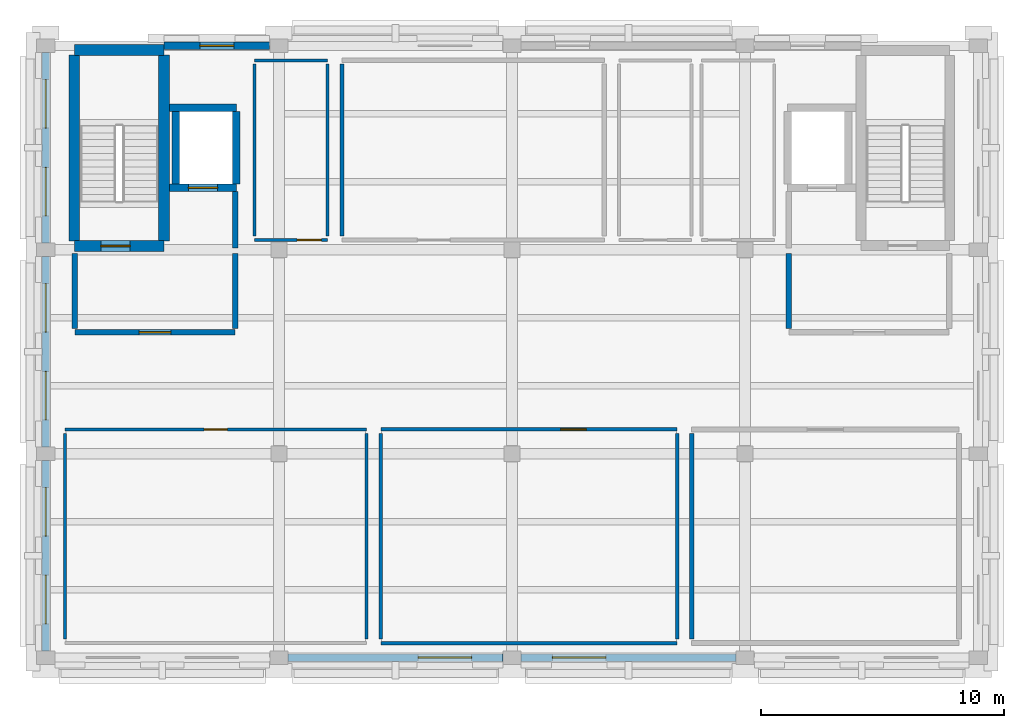
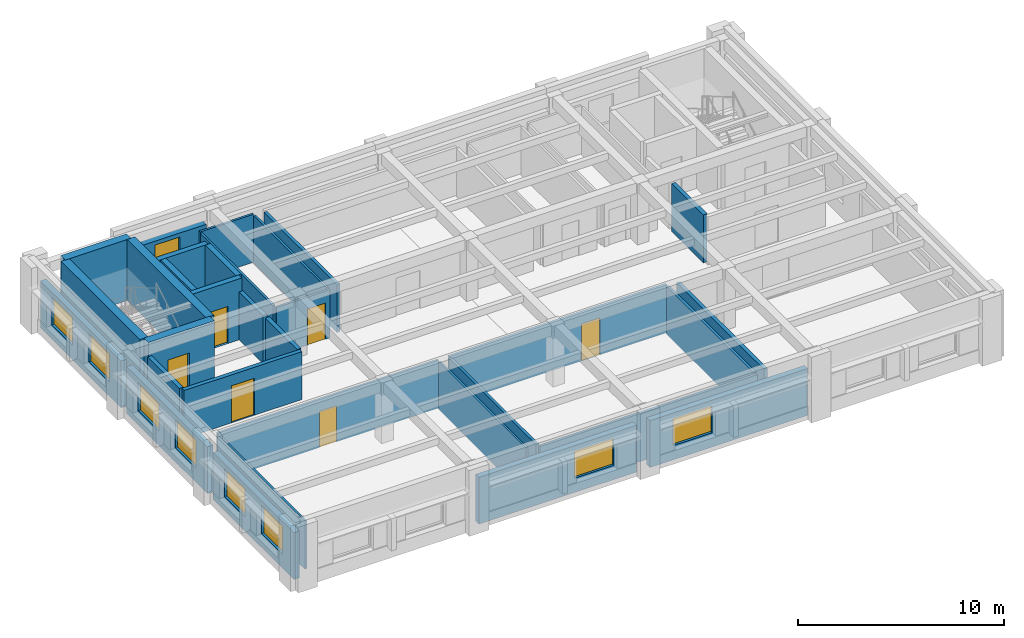
# One storey, part 2 of 7: 32 walls, 9 windows, 6 doors, 15 openings.
"""IFC4 building model written with IfcOpenShell, lengths in metres."""

from ifc_helpers import new_model, si_unit, direction, frame, frame_2d, origin, place, context, subcontext, project, spatial, rectangle, extrude, material, layer, layer_set, type_object, element, fill, save


model = new_model("IFC4")

# Units and contexts
model_context = context("Model", 3, precision=1e-05, world=origin(), true_north=direction((0.0, 1.0)))
body_context = subcontext(model_context, "Body", "Model", "MODEL_VIEW")
ifc_project = project(units=[si_unit("LENGTHUNIT", "METRE"), si_unit("AREAUNIT", "SQUARE_METRE"), si_unit("VOLUMEUNIT", "CUBIC_METRE"), si_unit("PLANEANGLEUNIT", "RADIAN"), si_unit("MASSUNIT", "GRAM", prefix="KILO")], contexts=[model_context])

# Site, building, storey
site_placement = place(None, origin())
site = spatial("IfcSite", under=ifc_project, at=site_placement, CompositionType="ELEMENT")
building_placement = place(site_placement, origin())
building = spatial("IfcBuilding", under=site, at=building_placement, Name="Bempovik Park Faculty of Sciences", CompositionType="ELEMENT")
storey_placement = place(building_placement, frame((0.0, 0.0, 42.300048828125)))
storey = spatial("IfcBuildingStorey", under=building, at=storey_placement, Name="L10", CompositionType="ELEMENT", Elevation=42.300048828125)

# Wall, opening, door
ifc_material_1 = material(Name="Concrete C40/50", Category="concrete")
ifc_layer_1 = layer(ifc_material_1, 0.449951171875)
ifc_layer_set_1 = layer_set([ifc_layer_1], Name="Concrete C40/50")
wall_type_1 = type_object("IfcWallType", Name="W-15 Wall 450mm", PredefinedType="SHEAR", material=ifc_layer_set_1)
wall_1_placement = place(storey_placement, frame((70.77490234375, 111.14990234375, 0.0), z_axis=(0.0, 0.0, 1.0), x_axis=(1.0, 0.0, 0.0)))
wall_1 = element("IfcWall", 1, at=wall_1_placement, inside=storey, type_object=wall_type_1, Name="ST-1 L10 Core Shear Wall South", PredefinedType="SHEAR", context=body_context, shape_type="SweptSolid", body=[
    extrude(rectangle(XDim=3.7001953125, YDim=0.449951171875, at=frame_2d((1.85009765625, 0.0))), origin(), (0.0, 0.0, 1.0), 3.619873046875),
])
opening_1_placement = place(wall_1_placement, frame((1.10009765625, 0.0, 0.0)))
opening_1 = element("IfcOpeningElement", 2, at=opening_1_placement, cuts=wall_1, Name="Opening D-49", PredefinedType="OPENING", context=body_context, shape_type="SweptSolid", body=[
    extrude(rectangle(XDim=1.199951171875, YDim=2.199951171875, at=frame_2d((0.60009765625, 1.10009765625))), frame((0.0, 0.23486328125, 0.0), z_axis=(0.0, -1.0, 0.0), x_axis=(1.0, 0.0, 0.0)), (0.0, 0.0, 1.0), 0.469970703125),
])
ifc_material_2 = material(Name="Painted steel S355", Category="steel")
door_type_1 = type_object("IfcDoorType", Name="D-49 Door 1200x2200", OperationType="NOTDEFINED", PredefinedType="DOOR", material=ifc_material_2)
door_1_placement = place(opening_1_placement, origin())
door_1 = element("IfcDoor", 3, at=door_1_placement, inside=storey, type_object=door_type_1, Name="ST-1 L10 Protected Stair Smoke Door", OperationType="SINGLE_SWING_RIGHT", OverallHeight=2.199951171875, OverallWidth=1.199951171875, PredefinedType="DOOR", context=body_context, shape_type="SweptSolid", body=[
    extrude(rectangle(XDim=1.199951171875, YDim=2.199951171875, at=frame_2d((0.60009765625, 1.10009765625))), frame((0.0, 0.02490234375, 0.0), z_axis=(0.0, -1.0, 0.0), x_axis=(1.0, 0.0, 0.0)), (0.0, 0.0, 1.0), 0.050048828125),
])
fill(opening_1, door_1)

# Walls
for number, where, z_axis, x_axis, name in (
    (4, (70.77490234375, 111.35009765625, 0.0), (0.0, 0.0, 1.0), (0.0, 1.0, 0.0), "ST-1 L10 Core Shear Wall West"),
    (5, (74.47509765625, 111.35009765625, 0.0), (0.0, 0.0, 1.0), (0.0, 1.0, 0.0), "ST-1 L10 Core Shear Wall East"),
):
    element("IfcWall", number, at=place(storey_placement, frame(where, z_axis=z_axis, x_axis=x_axis)), inside=storey, type_object=wall_type_1, Name=name, PredefinedType="SHEAR", context=body_context, shape_type="SweptSolid", body=[
        extrude(rectangle(XDim=7.6748046875, YDim=0.449951171875, at=frame_2d((3.83740234375, 0.0))), origin(), (0.0, 0.0, 1.0), 3.619873046875),
    ])
wall_2_placement = place(storey_placement, frame((70.77490234375, 119.22509765625, 0.0), z_axis=(0.0, 0.0, 1.0), x_axis=(1.0, 0.0, 0.0)))
element("IfcWall", 6, at=wall_2_placement, inside=storey, type_object=wall_type_1, Name="ST-1 L10 Core Shear Wall North", PredefinedType="SHEAR", context=body_context, shape_type="SweptSolid", body=[
    extrude(rectangle(XDim=3.7001953125, YDim=0.449951171875, at=frame_2d((1.85009765625, 0.0))), origin(), (0.0, 0.0, 1.0), 3.619873046875),
])

# Wall, opening, door
ifc_material_3 = material(Name="Gypsum acoustic stud assembly")
ifc_layer_2 = layer(ifc_material_3, 0.1201171875)
ifc_layer_set_2 = layer_set([ifc_layer_2], Name="Gypsum acoustic stud assembly")
wall_type_2 = type_object("IfcWallType", Name="W-17 Wall 120mm", PredefinedType="PARTITIONING", material=ifc_layer_set_2)
wall_3_placement = place(storey_placement, frame((70.39990234375, 103.60009765625, 0.0), z_axis=(0.0, 0.0, 1.0), x_axis=(1.0, 0.0, 0.0)))
wall_3 = element("IfcWall", 7, at=wall_3_placement, inside=storey, type_object=wall_type_2, Name="L10 Dean of Sciences and Faculty Secretariat Partition North", PredefinedType="PARTITIONING", context=body_context, shape_type="SweptSolid", body=[
    extrude(rectangle(XDim=12.400146484375, YDim=0.1201171875, at=frame_2d((6.2001953125, 0.0))), origin(), (0.0, 0.0, 1.0), 2.849853515625),
])
opening_2_placement = place(wall_3_placement, frame((5.72509765625, 0.0, 0.0)))
opening_2 = element("IfcOpeningElement", 8, at=opening_2_placement, cuts=wall_3, Name="Opening D-47", PredefinedType="OPENING", context=body_context, shape_type="SweptSolid", body=[
    extrude(rectangle(XDim=0.949951171875, YDim=2.14990234375, at=frame_2d((0.47509765625, 1.074951171875))), frame((0.0, 0.070068359375, 0.0), z_axis=(0.0, -1.0, 0.0), x_axis=(1.0, 0.0, 0.0)), (0.0, 0.0, 1.0), 0.14013671875),
])
ifc_material_4 = material(Name="West African hardwood finish", Category="wood")
door_type_2 = type_object("IfcDoorType", Name="D-47 Door 950x2150", OperationType="NOTDEFINED", PredefinedType="DOOR", material=ifc_material_4)
door_2_placement = place(opening_2_placement, origin())
door_2 = element("IfcDoor", 9, at=door_2_placement, inside=storey, type_object=door_type_2, Name="L10 Dean of Sciences and Faculty Secretariat Door", OperationType="SINGLE_SWING_LEFT", OverallHeight=2.14990234375, OverallWidth=0.949951171875, PredefinedType="DOOR", context=body_context, shape_type="SweptSolid", body=[
    extrude(rectangle(XDim=0.949951171875, YDim=2.14990234375, at=frame_2d((0.47509765625, 1.074951171875))), frame((0.0, 0.02490234375, 0.0), z_axis=(0.0, -1.0, 0.0), x_axis=(1.0, 0.0, 0.0)), (0.0, 0.0, 1.0), 0.050048828125),
])
fill(opening_2, door_2)

# Walls
for number, where, z_axis, x_axis, name in (
    (10, (70.39990234375, 94.9599609375, 0.0), (0.0, 0.0, 1.0), (0.0, 1.0, 0.0), "L10 Dean of Sciences and Faculty Secretariat Partition West"),
    (11, (82.800048828125, 94.9599609375, 0.0), (0.0, 0.0, 1.0), (0.0, 1.0, 0.0), "L10 Dean of Sciences and Faculty Secretariat Partition East"),
):
    element("IfcWall", number, at=place(storey_placement, frame(where, z_axis=z_axis, x_axis=x_axis)), inside=storey, type_object=wall_type_2, Name=name, PredefinedType="PARTITIONING", context=body_context, shape_type="SweptSolid", body=[
        extrude(rectangle(XDim=8.47998046875, YDim=0.1201171875, at=frame_2d((4.239990234375, 0.0))), origin(), (0.0, 0.0, 1.0), 2.849853515625),
    ])

# Wall, opening, door
wall_4_placement = place(storey_placement, frame((78.199951171875, 111.39990234375, 0.0), z_axis=(0.0, 0.0, 1.0), x_axis=(1.0, 0.0, 0.0)))
wall_4 = element("IfcWall", 12, at=wall_4_placement, inside=storey, type_object=wall_type_2, Name="L10 L10 Accessible WC Partition South", PredefinedType="PARTITIONING", context=body_context, shape_type="SweptSolid", body=[
    extrude(rectangle(XDim=3.0, YDim=0.1201171875, at=frame_2d((1.5, 0.0))), origin(), (0.0, 0.0, 1.0), 2.849853515625),
])
opening_3_placement = place(wall_4_placement, frame((1.75, 0.0, 0.0)))
opening_3 = element("IfcOpeningElement", 13, at=opening_3_placement, cuts=wall_4, Name="Opening D-50", PredefinedType="OPENING", context=body_context, shape_type="SweptSolid", body=[
    extrude(rectangle(XDim=1.0, YDim=2.14990234375, at=frame_2d((0.5, 1.074951171875))), frame((0.0, 0.070068359375, 0.0), z_axis=(0.0, -1.0, 0.0), x_axis=(1.0, 0.0, 0.0)), (0.0, 0.0, 1.0), 0.14013671875),
])
door_type_3 = type_object("IfcDoorType", Name="D-50 Door 1000x2150", OperationType="NOTDEFINED", PredefinedType="DOOR", material=ifc_material_4)
door_3_placement = place(opening_3_placement, origin())
door_3 = element("IfcDoor", 14, at=door_3_placement, inside=storey, type_object=door_type_3, Name="L10 L10 Accessible WC Door", OperationType="SINGLE_SWING_LEFT", OverallHeight=2.14990234375, OverallWidth=1.0, PredefinedType="DOOR", context=body_context, shape_type="SweptSolid", body=[
    extrude(rectangle(XDim=1.0, YDim=2.14990234375, at=frame_2d((0.5, 1.074951171875))), frame((0.0, 0.02490234375, 0.0), z_axis=(0.0, -1.0, 0.0), x_axis=(1.0, 0.0, 0.0)), (0.0, 0.0, 1.0), 0.050048828125),
])
fill(opening_3, door_3)

# Walls
wall_5_placement = place(storey_placement, frame((78.199951171875, 118.800048828125, 0.0), z_axis=(0.0, 0.0, 1.0), x_axis=(1.0, 0.0, 0.0)))
element("IfcWall", 15, at=wall_5_placement, inside=storey, type_object=wall_type_2, Name="L10 L10 Accessible WC Partition North", PredefinedType="PARTITIONING", context=body_context, shape_type="SweptSolid", body=[
    extrude(rectangle(XDim=3.0, YDim=0.1201171875, at=frame_2d((1.5, 0.0))), origin(), (0.0, 0.0, 1.0), 2.849853515625),
])
for number, where, z_axis, x_axis, name in (
    (16, (78.199951171875, 111.56005859375, 0.0), (0.0, 0.0, 1.0), (0.0, 1.0, 0.0), "L10 L10 Accessible WC Partition West"),
    (17, (81.199951171875, 111.56005859375, 0.0), (0.0, 0.0, 1.0), (0.0, 1.0, 0.0), "L10 L10 Accessible WC Partition East"),
):
    element("IfcWall", number, at=place(storey_placement, frame(where, z_axis=z_axis, x_axis=x_axis)), inside=storey, type_object=wall_type_2, Name=name, PredefinedType="PARTITIONING", context=body_context, shape_type="SweptSolid", body=[
        extrude(rectangle(XDim=7.079833984375, YDim=0.1201171875, at=frame_2d((3.5400390625, 0.0))), origin(), (0.0, 0.0, 1.0), 2.849853515625),
    ])

# Wall, opening, door
ifc_layer_3 = layer(ifc_material_1, 0.300048828125)
ifc_layer_set_3 = layer_set([ifc_layer_3], Name="Concrete C40/50")
wall_type_3 = type_object("IfcWallType", Name="W-31 Wall 300mm", PredefinedType="SHEAR", material=ifc_layer_set_3)
wall_6_placement = place(storey_placement, frame((74.699951171875, 113.550048828125, 0.0), z_axis=(0.0, 0.0, 1.0), x_axis=(1.0, 0.0, 0.0)))
wall_6 = element("IfcWall", 18, at=wall_6_placement, inside=storey, type_object=wall_type_3, Name="Lift LF-1 L10 Shaft Wall South", PredefinedType="SHEAR", context=body_context, shape_type="SweptSolid", body=[
    extrude(rectangle(XDim=2.75, YDim=0.300048828125, at=frame_2d((1.375, 0.0))), origin(), (0.0, 0.0, 1.0), 3.619873046875),
])
opening_4_placement = place(wall_6_placement, frame((0.77490234375, 0.0, 0.0)))
opening_4 = element("IfcOpeningElement", 19, at=opening_4_placement, cuts=wall_6, Name="Opening LD-01", PredefinedType="OPENING", context=body_context, shape_type="SweptSolid", body=[
    extrude(rectangle(XDim=1.199951171875, YDim=2.199951171875, at=frame_2d((0.60009765625, 1.10009765625))), frame((0.0, 0.16015625, 0.0), z_axis=(0.0, -1.0, 0.0), x_axis=(1.0, 0.0, 0.0)), (0.0, 0.0, 1.0), 0.320068359375),
])
door_type_4 = type_object("IfcDoorType", Name="LD-01 Door 1200x2200", OperationType="NOTDEFINED", PredefinedType="DOOR", material=ifc_material_2)
door_4_placement = place(opening_4_placement, origin())
door_4 = element("IfcDoor", 20, at=door_4_placement, inside=storey, type_object=door_type_4, Name="Lift LF-1 L10 Sliding Landing Door", OperationType="SLIDING_TO_LEFT", OverallHeight=2.199951171875, OverallWidth=1.199951171875, PredefinedType="DOOR", context=body_context, shape_type="SweptSolid", body=[
    extrude(rectangle(XDim=1.199951171875, YDim=2.199951171875, at=frame_2d((0.60009765625, 1.10009765625))), frame((0.0, 0.02490234375, 0.0), z_axis=(0.0, -1.0, 0.0), x_axis=(1.0, 0.0, 0.0)), (0.0, 0.0, 1.0), 0.050048828125),
])
fill(opening_4, door_4)

# Walls
wall_7_placement = place(storey_placement, frame((74.699951171875, 116.85009765625, 0.0), z_axis=(0.0, 0.0, 1.0), x_axis=(1.0, 0.0, 0.0)))
element("IfcWall", 21, at=wall_7_placement, inside=storey, type_object=wall_type_3, Name="Lift LF-1 L10 Shaft Wall North", PredefinedType="SHEAR", context=body_context, shape_type="SweptSolid", body=[
    extrude(rectangle(XDim=2.75, YDim=0.300048828125, at=frame_2d((1.375, 0.0))), origin(), (0.0, 0.0, 1.0), 3.619873046875),
])
for number, where, z_axis, x_axis, name in (
    (22, (74.949951171875, 113.699951171875, 0.0), (0.0, 0.0, 1.0), (0.0, 1.0, 0.0), "Lift LF-1 L10 Shaft Wall West"),
    (23, (77.449951171875, 113.699951171875, 0.0), (0.0, 0.0, 1.0), (0.0, 1.0, 0.0), "Lift LF-1 L10 Shaft Wall East"),
):
    element("IfcWall", number, at=place(storey_placement, frame(where, z_axis=z_axis, x_axis=x_axis)), inside=storey, type_object=wall_type_3, Name=name, PredefinedType="SHEAR", context=body_context, shape_type="SweptSolid", body=[
        extrude(rectangle(XDim=3.0, YDim=0.300048828125, at=frame_2d((1.5, 0.0))), origin(), (0.0, 0.0, 1.0), 3.619873046875),
    ])

# Wall, opening, door
ifc_material_5 = material(Name="Concrete C35/45", Category="concrete")
ifc_layer_4 = layer(ifc_material_5, 0.219970703125)
ifc_layer_set_4 = layer_set([ifc_layer_4], Name="Concrete C35/45")
wall_type_4 = type_object("IfcWallType", Name="W-38 Wall 220mm", PredefinedType="PARTITIONING", material=ifc_layer_set_4)
wall_8_placement = place(storey_placement, frame((70.800048828125, 107.60009765625, 0.0), z_axis=(0.0, 0.0, 1.0), x_axis=(1.0, 0.0, 0.0)))
wall_8 = element("IfcWall", 24, at=wall_8_placement, inside=storey, type_object=wall_type_4, Name="L10 Firefighting Lift Lobby West Partition South", PredefinedType="PARTITIONING", context=body_context, shape_type="SweptSolid", body=[
    extrude(rectangle(XDim=6.599853515625, YDim=0.219970703125, at=frame_2d((3.2998046875, 0.0))), origin(), (0.0, 0.0, 1.0), 2.849853515625),
])
opening_5_placement = place(wall_8_placement, frame((2.64990234375, 0.0, 0.0)))
opening_5 = element("IfcOpeningElement", 25, at=opening_5_placement, cuts=wall_8, Name="Opening D-38", PredefinedType="OPENING", context=body_context, shape_type="SweptSolid", body=[
    extrude(rectangle(XDim=1.300048828125, YDim=2.199951171875, at=frame_2d((0.64990234375, 1.10009765625))), frame((0.0, 0.1201171875, 0.0), z_axis=(0.0, -1.0, 0.0), x_axis=(1.0, 0.0, 0.0)), (0.0, 0.0, 1.0), 0.239990234375),
])
door_type_5 = type_object("IfcDoorType", Name="D-38 Door 1300x2200", OperationType="NOTDEFINED", PredefinedType="DOOR", material=ifc_material_2)
door_5_placement = place(opening_5_placement, origin())
door_5 = element("IfcDoor", 26, at=door_5_placement, inside=storey, type_object=door_type_5, Name="L10 Firefighting Lift Lobby West Door", OperationType="SINGLE_SWING_RIGHT", OverallHeight=2.199951171875, OverallWidth=1.300048828125, PredefinedType="DOOR", context=body_context, shape_type="SweptSolid", body=[
    extrude(rectangle(XDim=1.300048828125, YDim=2.199951171875, at=frame_2d((0.64990234375, 1.10009765625))), frame((0.0, 0.02490234375, 0.0), z_axis=(0.0, -1.0, 0.0), x_axis=(1.0, 0.0, 0.0)), (0.0, 0.0, 1.0), 0.050048828125),
])
fill(opening_5, door_5)

# Walls
wall_9_placement = place(storey_placement, frame((77.39990234375, 111.080078125, 0.0), z_axis=(0.0, 0.0, 1.0), x_axis=(0.0, 1.0, 0.0)))
element("IfcWall", 27, at=wall_9_placement, inside=storey, type_object=wall_type_4, Name="L10 Firefighting Lobby West Lift Link Wall", PredefinedType="PARTITIONING", context=body_context, shape_type="SweptSolid", body=[
    extrude(rectangle(XDim=2.31982421875, YDim=0.219970703125, at=frame_2d((1.159912109375, 0.0))), origin(), (0.0, 0.0, 1.0), 2.849853515625),
])
for number, where, z_axis, x_axis, name in (
    (28, (70.800048828125, 107.760009765625, 0.0), (0.0, 0.0, 1.0), (0.0, 1.0, 0.0), "L10 Firefighting Lift Lobby West Partition West"),
    (29, (77.39990234375, 107.760009765625, 0.0), (0.0, 0.0, 1.0), (0.0, 1.0, 0.0), "L10 Firefighting Lift Lobby West Partition East"),
    (30, (100.199951171875, 107.760009765625, 0.0), (0.0, 0.0, 1.0), (0.0, 1.0, 0.0), "L10 Firefighting Lift Lobby East Partition West"),
):
    element("IfcWall", number, at=place(storey_placement, frame(where, z_axis=z_axis, x_axis=x_axis)), inside=storey, type_object=wall_type_4, Name=name, PredefinedType="PARTITIONING", context=body_context, shape_type="SweptSolid", body=[
        extrude(rectangle(XDim=3.080078125, YDim=0.219970703125, at=frame_2d((1.5400390625, 0.0))), origin(), (0.0, 0.0, 1.0), 2.849853515625),
    ])
ifc_layer_5 = layer(ifc_material_3, 0.14990234375)
ifc_layer_set_5 = layer_set([ifc_layer_5], Name="Gypsum acoustic stud assembly")
wall_type_5 = type_object("IfcWallType", Name="W-42 Wall 150mm", PredefinedType="PARTITIONING", material=ifc_layer_set_5)
wall_10_placement = place(storey_placement, frame((83.39990234375, 94.800048828125, 0.0), z_axis=(0.0, 0.0, 1.0), x_axis=(1.0, 0.0, 0.0)))
element("IfcWall", 31, at=wall_10_placement, inside=storey, type_object=wall_type_5, Name="L10 Faculty Senate Colloquium Room Partition South", PredefinedType="PARTITIONING", context=body_context, shape_type="SweptSolid", body=[
    extrude(rectangle(XDim=12.2001953125, YDim=0.14990234375, at=frame_2d((6.10009765625, 0.0))), origin(), (0.0, 0.0, 1.0), 2.849853515625),
])

# Wall, opening, door
wall_11_placement = place(storey_placement, frame((83.39990234375, 103.60009765625, 0.0), z_axis=(0.0, 0.0, 1.0), x_axis=(1.0, 0.0, 0.0)))
wall_11 = element("IfcWall", 32, at=wall_11_placement, inside=storey, type_object=wall_type_5, Name="L10 Faculty Senate Colloquium Room Partition North", PredefinedType="PARTITIONING", context=body_context, shape_type="SweptSolid", body=[
    extrude(rectangle(XDim=12.2001953125, YDim=0.14990234375, at=frame_2d((6.10009765625, 0.0))), origin(), (0.0, 0.0, 1.0), 2.849853515625),
])
opening_6_placement = place(wall_11_placement, frame((7.405029296875, 0.0, 0.0)))
opening_6 = element("IfcOpeningElement", 33, at=opening_6_placement, cuts=wall_11, Name="Opening D-16", PredefinedType="OPENING", context=body_context, shape_type="SweptSolid", body=[
    extrude(rectangle(XDim=1.050048828125, YDim=2.199951171875, at=frame_2d((0.52490234375, 1.10009765625))), frame((0.0, 0.0849609375, 0.0), z_axis=(0.0, -1.0, 0.0), x_axis=(1.0, 0.0, 0.0)), (0.0, 0.0, 1.0), 0.169921875),
])
door_type_6 = type_object("IfcDoorType", Name="D-16 Door 1050x2200", OperationType="NOTDEFINED", PredefinedType="DOOR", material=ifc_material_4)
door_6_placement = place(opening_6_placement, origin())
door_6 = element("IfcDoor", 34, at=door_6_placement, inside=storey, type_object=door_type_6, Name="L10 Faculty Senate Colloquium Room Door", OperationType="SINGLE_SWING_RIGHT", OverallHeight=2.199951171875, OverallWidth=1.050048828125, PredefinedType="DOOR", context=body_context, shape_type="SweptSolid", body=[
    extrude(rectangle(XDim=1.050048828125, YDim=2.199951171875, at=frame_2d((0.52490234375, 1.10009765625))), frame((0.0, 0.02490234375, 0.0), z_axis=(0.0, -1.0, 0.0), x_axis=(1.0, 0.0, 0.0)), (0.0, 0.0, 1.0), 0.050048828125),
])
fill(opening_6, door_6)

# Walls
for number, where, z_axis, x_axis, name in (
    (35, (83.39990234375, 94.9599609375, 0.0), (0.0, 0.0, 1.0), (0.0, 1.0, 0.0), "L10 Faculty Senate Colloquium Room Partition West"),
    (36, (95.60009765625, 94.9599609375, 0.0), (0.0, 0.0, 1.0), (0.0, 1.0, 0.0), "L10 Faculty Senate Colloquium Room Partition East"),
):
    element("IfcWall", number, at=place(storey_placement, frame(where, z_axis=z_axis, x_axis=x_axis)), inside=storey, type_object=wall_type_5, Name=name, PredefinedType="PARTITIONING", context=body_context, shape_type="SweptSolid", body=[
        extrude(rectangle(XDim=8.47998046875, YDim=0.14990234375, at=frame_2d((4.239990234375, 0.0))), origin(), (0.0, 0.0, 1.0), 2.849853515625),
    ])
ifc_layer_6 = layer(ifc_material_5, 0.169921875)
ifc_layer_set_6 = layer_set([ifc_layer_6], Name="Concrete C35/45")
wall_type_6 = type_object("IfcWallType", Name="W-50 Wall 170mm", PredefinedType="PARTITIONING", material=ifc_layer_set_6)
wall_12_placement = place(storey_placement, frame((81.800048828125, 111.56005859375, 0.0), z_axis=(0.0, 0.0, 1.0), x_axis=(0.0, 1.0, 0.0)))
element("IfcWall", 37, at=wall_12_placement, inside=storey, type_object=wall_type_6, Name="L10 Rare Scientific Manuscripts Archive Partition West", PredefinedType="PARTITIONING", context=body_context, shape_type="SweptSolid", body=[
    extrude(rectangle(XDim=7.079833984375, YDim=0.169921875, at=frame_2d((3.5400390625, 0.0))), origin(), (0.0, 0.0, 1.0), 2.849853515625),
])

# Wall, opening, window
ifc_material_6 = material(Name="Precast concrete C40/50", Category="concrete")
ifc_layer_7 = layer(ifc_material_6, 0.320068359375)
ifc_layer_set_7 = layer_set([ifc_layer_7], Name="Precast concrete C40/50")
wall_type_7 = type_object("IfcWallType", Name="W-56 Wall 320mm", PredefinedType="SOLIDWALL", material=ifc_layer_set_7)
wall_13_placement = place(storey_placement, frame((74.47607421875, 119.39990234375, 0.0), z_axis=(0.0, 0.0, 1.0), x_axis=(1.0, 0.0, 0.0)))
wall_13 = element("IfcWall", 38, at=wall_13_placement, inside=storey, type_object=wall_type_7, Name="L10 Classical Precast Facade Wall EW-L10-11174", PredefinedType="SOLIDWALL", context=body_context, shape_type="SweptSolid", body=[
    extrude(rectangle(XDim=4.346923828125, YDim=0.320068359375, at=frame_2d((2.17333984375, 0.0))), origin(), (0.0, 0.0, 1.0), 2.780029296875),
])
opening_7_placement = place(wall_13_placement, frame((1.473388671875, 0.0, 0.89990234375)))
opening_7 = element("IfcOpeningElement", 39, at=opening_7_placement, cuts=wall_13, Name="Opening WN-84", PredefinedType="OPENING", context=body_context, shape_type="SweptSolid", body=[
    extrude(rectangle(XDim=1.39990234375, YDim=1.64990234375, at=frame_2d((0.699951171875, 0.824951171875))), frame((0.0, 0.169921875, 0.0), z_axis=(0.0, -1.0, 0.0), x_axis=(1.0, 0.0, 0.0)), (0.0, 0.0, 1.0), 0.340087890625),
])
ifc_material_7 = material(Name="Tempered laminated low-E glass", Category="glass")
window_type_1 = type_object("IfcWindowType", Name="WN-84 Window 1400x1650", PartitioningType="SINGLE_PANEL", PredefinedType="WINDOW", material=ifc_material_7)
window_1_placement = place(opening_7_placement, origin())
window_1 = element("IfcWindow", 40, at=window_1_placement, inside=storey, type_object=window_type_1, Name="L10 Stairwell Classical Lancet Window EW-L10-11174", OverallHeight=1.64990234375, OverallWidth=1.39990234375, PartitioningType="SINGLE_PANEL", PredefinedType="WINDOW", context=body_context, shape_type="SweptSolid", body=[
    extrude(rectangle(XDim=1.39990234375, YDim=1.64990234375, at=frame_2d((0.699951171875, 0.824951171875))), frame((0.0, 0.030029296875, 0.0), z_axis=(0.0, -1.0, 0.0), x_axis=(1.0, 0.0, 0.0)), (0.0, 0.0, 1.0), 0.06005859375),
])
fill(opening_7, window_1)

# Wall, openings, windows
wall_14_placement = place(storey_placement, frame((69.60009765625, 94.47705078125, 0.0), z_axis=(0.0, 0.0, 1.0), x_axis=(0.0, 1.0, 0.0)))
wall_14 = element("IfcWall", 41, at=wall_14_placement, inside=storey, type_object=wall_type_7, Name="L10 Classical Precast Facade Wall EW-L10-11207", PredefinedType="SOLIDWALL", context=body_context, shape_type="SweptSolid", body=[
    extrude(rectangle(XDim=7.845947265625, YDim=0.320068359375, at=frame_2d((3.9228515625, 0.0))), origin(), (0.0, 0.0, 1.0), 2.780029296875),
])
opening_8_placement = place(wall_14_placement, frame((1.118408203125, 0.0, 0.85009765625)))
opening_8 = element("IfcOpeningElement", 42, at=opening_8_placement, cuts=wall_14, Name="Opening WN-35", PredefinedType="OPENING", context=body_context, shape_type="SweptSolid", body=[
    extrude(rectangle(XDim=2.0, YDim=1.64990234375, at=frame_2d((1.0, 0.824951171875))), frame((0.0, 0.169921875, 0.0), z_axis=(0.0, -1.0, 0.0), x_axis=(1.0, 0.0, 0.0)), (0.0, 0.0, 1.0), 0.340087890625),
])
opening_9_placement = place(wall_14_placement, frame((4.7275390625, 0.0, 0.85009765625)))
opening_9 = element("IfcOpeningElement", 43, at=opening_9_placement, cuts=wall_14, Name="Opening WN-35", PredefinedType="OPENING", context=body_context, shape_type="SweptSolid", body=[
    extrude(rectangle(XDim=2.0, YDim=1.64990234375, at=frame_2d((1.0, 0.824951171875))), frame((0.0, 0.169921875, 0.0), z_axis=(0.0, -1.0, 0.0), x_axis=(1.0, 0.0, 0.0)), (0.0, 0.0, 1.0), 0.340087890625),
])
window_type_2 = type_object("IfcWindowType", Name="WN-35 Window 2000x1650", PartitioningType="SINGLE_PANEL", PredefinedType="WINDOW", material=ifc_material_7)
window_2_placement = place(opening_8_placement, origin())
window_2 = element("IfcWindow", 44, at=window_2_placement, inside=storey, type_object=window_type_2, Name="L10 Window EW-L10-11207-1", OverallHeight=1.64990234375, OverallWidth=2.0, PartitioningType="SINGLE_PANEL", PredefinedType="WINDOW", context=body_context, shape_type="SweptSolid", body=[
    extrude(rectangle(XDim=2.0, YDim=1.64990234375, at=frame_2d((1.0, 0.824951171875))), frame((0.0, 0.030029296875, 0.0), z_axis=(0.0, -1.0, 0.0), x_axis=(1.0, 0.0, 0.0)), (0.0, 0.0, 1.0), 0.06005859375),
])
fill(opening_8, window_2)
window_3_placement = place(opening_9_placement, origin())
window_3 = element("IfcWindow", 45, at=window_3_placement, inside=storey, type_object=window_type_2, Name="L10 Window EW-L10-11207-2", OverallHeight=1.64990234375, OverallWidth=2.0, PartitioningType="SINGLE_PANEL", PredefinedType="WINDOW", context=body_context, shape_type="SweptSolid", body=[
    extrude(rectangle(XDim=2.0, YDim=1.64990234375, at=frame_2d((1.0, 0.824951171875))), frame((0.0, 0.030029296875, 0.0), z_axis=(0.0, -1.0, 0.0), x_axis=(1.0, 0.0, 0.0)), (0.0, 0.0, 1.0), 0.06005859375),
])
fill(opening_9, window_3)

wall_15_placement = place(storey_placement, frame((69.60009765625, 102.876953125, 0.0), z_axis=(0.0, 0.0, 1.0), x_axis=(0.0, 1.0, 0.0)))
wall_15 = element("IfcWall", 46, at=wall_15_placement, inside=storey, type_object=wall_type_7, Name="L10 Classical Precast Facade Wall EW-L10-11220", PredefinedType="SOLIDWALL", context=body_context, shape_type="SweptSolid", body=[
    extrude(rectangle(XDim=7.845947265625, YDim=0.320068359375, at=frame_2d((3.9228515625, 0.0))), origin(), (0.0, 0.0, 1.0), 2.780029296875),
])
opening_10_placement = place(wall_15_placement, frame((1.118408203125, 0.0, 0.85009765625)))
opening_10 = element("IfcOpeningElement", 47, at=opening_10_placement, cuts=wall_15, Name="Opening WN-35", PredefinedType="OPENING", context=body_context, shape_type="SweptSolid", body=[
    extrude(rectangle(XDim=2.0, YDim=1.64990234375, at=frame_2d((1.0, 0.824951171875))), frame((0.0, 0.169921875, 0.0), z_axis=(0.0, -1.0, 0.0), x_axis=(1.0, 0.0, 0.0)), (0.0, 0.0, 1.0), 0.340087890625),
])
opening_11_placement = place(wall_15_placement, frame((4.7275390625, 0.0, 0.85009765625)))
opening_11 = element("IfcOpeningElement", 48, at=opening_11_placement, cuts=wall_15, Name="Opening WN-35", PredefinedType="OPENING", context=body_context, shape_type="SweptSolid", body=[
    extrude(rectangle(XDim=2.0, YDim=1.64990234375, at=frame_2d((1.0, 0.824951171875))), frame((0.0, 0.169921875, 0.0), z_axis=(0.0, -1.0, 0.0), x_axis=(1.0, 0.0, 0.0)), (0.0, 0.0, 1.0), 0.340087890625),
])
window_4_placement = place(opening_10_placement, origin())
window_4 = element("IfcWindow", 49, at=window_4_placement, inside=storey, type_object=window_type_2, Name="L10 Window EW-L10-11220-1", OverallHeight=1.64990234375, OverallWidth=2.0, PartitioningType="SINGLE_PANEL", PredefinedType="WINDOW", context=body_context, shape_type="SweptSolid", body=[
    extrude(rectangle(XDim=2.0, YDim=1.64990234375, at=frame_2d((1.0, 0.824951171875))), frame((0.0, 0.030029296875, 0.0), z_axis=(0.0, -1.0, 0.0), x_axis=(1.0, 0.0, 0.0)), (0.0, 0.0, 1.0), 0.06005859375),
])
fill(opening_10, window_4)
window_5_placement = place(opening_11_placement, origin())
window_5 = element("IfcWindow", 50, at=window_5_placement, inside=storey, type_object=window_type_2, Name="L10 Window EW-L10-11220-2", OverallHeight=1.64990234375, OverallWidth=2.0, PartitioningType="SINGLE_PANEL", PredefinedType="WINDOW", context=body_context, shape_type="SweptSolid", body=[
    extrude(rectangle(XDim=2.0, YDim=1.64990234375, at=frame_2d((1.0, 0.824951171875))), frame((0.0, 0.030029296875, 0.0), z_axis=(0.0, -1.0, 0.0), x_axis=(1.0, 0.0, 0.0)), (0.0, 0.0, 1.0), 0.06005859375),
])
fill(opening_11, window_5)

wall_16_placement = place(storey_placement, frame((69.60009765625, 111.277099609375, 0.0), z_axis=(0.0, 0.0, 1.0), x_axis=(0.0, 1.0, 0.0)))
wall_16 = element("IfcWall", 51, at=wall_16_placement, inside=storey, type_object=wall_type_7, Name="L10 Classical Precast Facade Wall EW-L10-11232", PredefinedType="SOLIDWALL", context=body_context, shape_type="SweptSolid", body=[
    extrude(rectangle(XDim=7.845947265625, YDim=0.320068359375, at=frame_2d((3.9228515625, 0.0))), origin(), (0.0, 0.0, 1.0), 2.780029296875),
])
opening_12_placement = place(wall_16_placement, frame((1.118408203125, 0.0, 0.85009765625)))
opening_12 = element("IfcOpeningElement", 52, at=opening_12_placement, cuts=wall_16, Name="Opening WN-35", PredefinedType="OPENING", context=body_context, shape_type="SweptSolid", body=[
    extrude(rectangle(XDim=2.0, YDim=1.64990234375, at=frame_2d((1.0, 0.824951171875))), frame((0.0, 0.169921875, 0.0), z_axis=(0.0, -1.0, 0.0), x_axis=(1.0, 0.0, 0.0)), (0.0, 0.0, 1.0), 0.340087890625),
])
opening_13_placement = place(wall_16_placement, frame((4.7275390625, 0.0, 0.85009765625)))
opening_13 = element("IfcOpeningElement", 53, at=opening_13_placement, cuts=wall_16, Name="Opening WN-35", PredefinedType="OPENING", context=body_context, shape_type="SweptSolid", body=[
    extrude(rectangle(XDim=2.0, YDim=1.64990234375, at=frame_2d((1.0, 0.824951171875))), frame((0.0, 0.169921875, 0.0), z_axis=(0.0, -1.0, 0.0), x_axis=(1.0, 0.0, 0.0)), (0.0, 0.0, 1.0), 0.340087890625),
])
window_6_placement = place(opening_12_placement, origin())
window_6 = element("IfcWindow", 54, at=window_6_placement, inside=storey, type_object=window_type_2, Name="L10 Window EW-L10-11232-1", OverallHeight=1.64990234375, OverallWidth=2.0, PartitioningType="SINGLE_PANEL", PredefinedType="WINDOW", context=body_context, shape_type="SweptSolid", body=[
    extrude(rectangle(XDim=2.0, YDim=1.64990234375, at=frame_2d((1.0, 0.824951171875))), frame((0.0, 0.030029296875, 0.0), z_axis=(0.0, -1.0, 0.0), x_axis=(1.0, 0.0, 0.0)), (0.0, 0.0, 1.0), 0.06005859375),
])
fill(opening_12, window_6)
window_7_placement = place(opening_13_placement, origin())
window_7 = element("IfcWindow", 55, at=window_7_placement, inside=storey, type_object=window_type_2, Name="L10 Window EW-L10-11232-2", OverallHeight=1.64990234375, OverallWidth=2.0, PartitioningType="SINGLE_PANEL", PredefinedType="WINDOW", context=body_context, shape_type="SweptSolid", body=[
    extrude(rectangle(XDim=2.0, YDim=1.64990234375, at=frame_2d((1.0, 0.824951171875))), frame((0.0, 0.030029296875, 0.0), z_axis=(0.0, -1.0, 0.0), x_axis=(1.0, 0.0, 0.0)), (0.0, 0.0, 1.0), 0.06005859375),
])
fill(opening_13, window_7)

# Wall, opening, window
wall_17_placement = place(storey_placement, frame((79.576904296875, 94.199951171875, 0.0), z_axis=(0.0, 0.0, 1.0), x_axis=(1.0, 0.0, 0.0)))
wall_17 = element("IfcWall", 56, at=wall_17_placement, inside=storey, type_object=wall_type_7, Name="L10 Classical Precast Facade Wall EW-L10-11257", PredefinedType="SOLIDWALL", context=body_context, shape_type="SweptSolid", body=[
    extrude(rectangle(XDim=8.84619140625, YDim=0.320068359375, at=frame_2d((4.423095703125, 0.0))), origin(), (0.0, 0.0, 1.0), 2.780029296875),
])
opening_14_placement = place(wall_17_placement, frame((5.357666015625, 0.0, 0.85009765625)))
opening_14 = element("IfcOpeningElement", 57, at=opening_14_placement, cuts=wall_17, Name="Opening WN-63", PredefinedType="OPENING", context=body_context, shape_type="SweptSolid", body=[
    extrude(rectangle(XDim=2.199951171875, YDim=1.60009765625, at=frame_2d((1.10009765625, 0.800048828125))), frame((0.0, 0.169921875, 0.0), z_axis=(0.0, -1.0, 0.0), x_axis=(1.0, 0.0, 0.0)), (0.0, 0.0, 1.0), 0.340087890625),
])
window_type_3 = type_object("IfcWindowType", Name="WN-63 Window 2200x1600", PartitioningType="SINGLE_PANEL", PredefinedType="WINDOW", material=ifc_material_7)
window_8_placement = place(opening_14_placement, origin())
window_8 = element("IfcWindow", 58, at=window_8_placement, inside=storey, type_object=window_type_3, Name="L10 Window EW-L10-11257-2", OverallHeight=1.60009765625, OverallWidth=2.199951171875, PartitioningType="SINGLE_PANEL", PredefinedType="WINDOW", context=body_context, shape_type="SweptSolid", body=[
    extrude(rectangle(XDim=2.199951171875, YDim=1.60009765625, at=frame_2d((1.10009765625, 0.800048828125))), frame((0.0, 0.030029296875, 0.0), z_axis=(0.0, -1.0, 0.0), x_axis=(1.0, 0.0, 0.0)), (0.0, 0.0, 1.0), 0.06005859375),
])
fill(opening_14, window_8)

wall_18_placement = place(storey_placement, frame((89.177001953125, 94.199951171875, 0.0), z_axis=(0.0, 0.0, 1.0), x_axis=(1.0, 0.0, 0.0)))
wall_18 = element("IfcWall", 59, at=wall_18_placement, inside=storey, type_object=wall_type_7, Name="L10 Classical Precast Facade Wall EW-L10-11267", PredefinedType="SOLIDWALL", context=body_context, shape_type="SweptSolid", body=[
    extrude(rectangle(XDim=8.845947265625, YDim=0.320068359375, at=frame_2d((4.4228515625, 0.0))), origin(), (0.0, 0.0, 1.0), 2.780029296875),
])
opening_15_placement = place(wall_18_placement, frame((1.288330078125, 0.0, 0.85009765625)))
opening_15 = element("IfcOpeningElement", 60, at=opening_15_placement, cuts=wall_18, Name="Opening WN-63", PredefinedType="OPENING", context=body_context, shape_type="SweptSolid", body=[
    extrude(rectangle(XDim=2.199951171875, YDim=1.60009765625, at=frame_2d((1.10009765625, 0.800048828125))), frame((0.0, 0.169921875, 0.0), z_axis=(0.0, -1.0, 0.0), x_axis=(1.0, 0.0, 0.0)), (0.0, 0.0, 1.0), 0.340087890625),
])
window_9_placement = place(opening_15_placement, origin())
window_9 = element("IfcWindow", 61, at=window_9_placement, inside=storey, type_object=window_type_3, Name="L10 Window EW-L10-11267-1", OverallHeight=1.60009765625, OverallWidth=2.199951171875, PartitioningType="SINGLE_PANEL", PredefinedType="WINDOW", context=body_context, shape_type="SweptSolid", body=[
    extrude(rectangle(XDim=2.199951171875, YDim=1.60009765625, at=frame_2d((1.10009765625, 0.800048828125))), frame((0.0, 0.030029296875, 0.0), z_axis=(0.0, -1.0, 0.0), x_axis=(1.0, 0.0, 0.0)), (0.0, 0.0, 1.0), 0.06005859375),
])
fill(opening_15, window_9)

# Wall
ifc_layer_8 = layer(ifc_material_5, 0.199951171875)
ifc_layer_set_8 = layer_set([ifc_layer_8], Name="Concrete C35/45")
wall_type_8 = type_object("IfcWallType", Name="W-59 Wall 200mm", PredefinedType="PARTITIONING", material=ifc_layer_set_8)
wall_19_placement = place(storey_placement, frame((96.199951171875, 94.9599609375, 0.0), z_axis=(0.0, 0.0, 1.0), x_axis=(0.0, 1.0, 0.0)))
element("IfcWall", 62, at=wall_19_placement, inside=storey, type_object=wall_type_8, Name="L10 Bioinformatics Research Laboratory Partition West", PredefinedType="PARTITIONING", context=body_context, shape_type="SweptSolid", body=[
    extrude(rectangle(XDim=8.47998046875, YDim=0.199951171875, at=frame_2d((4.239990234375, 0.0))), origin(), (0.0, 0.0, 1.0), 2.849853515625),
])

save(model, "model.ifc")
